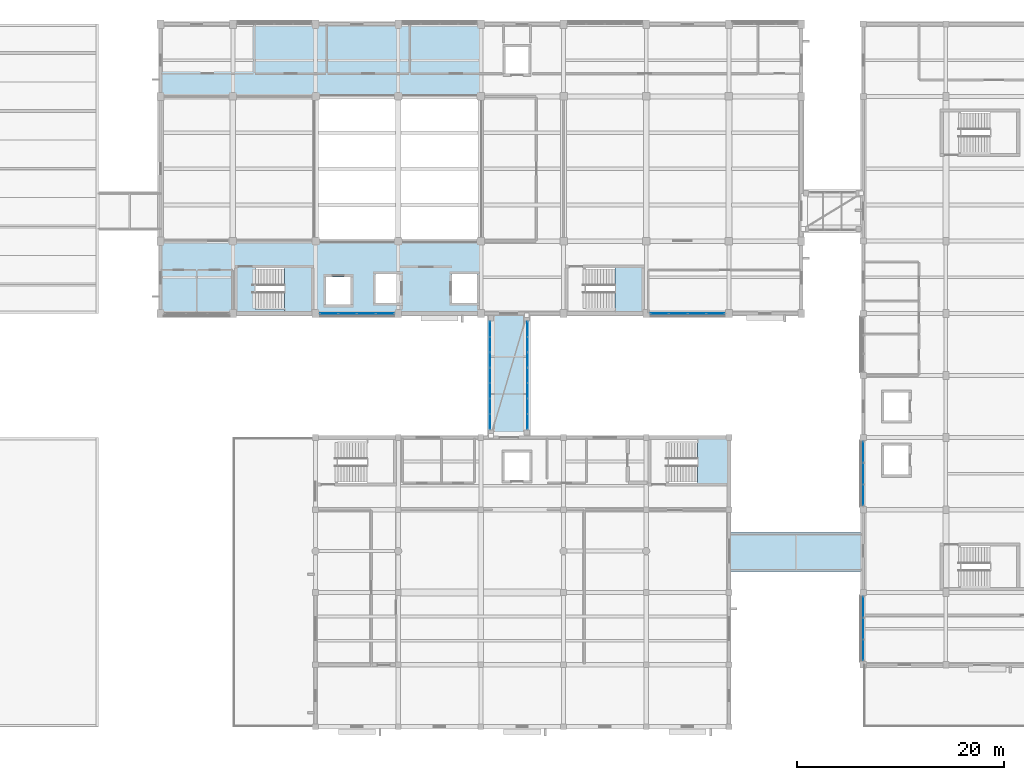
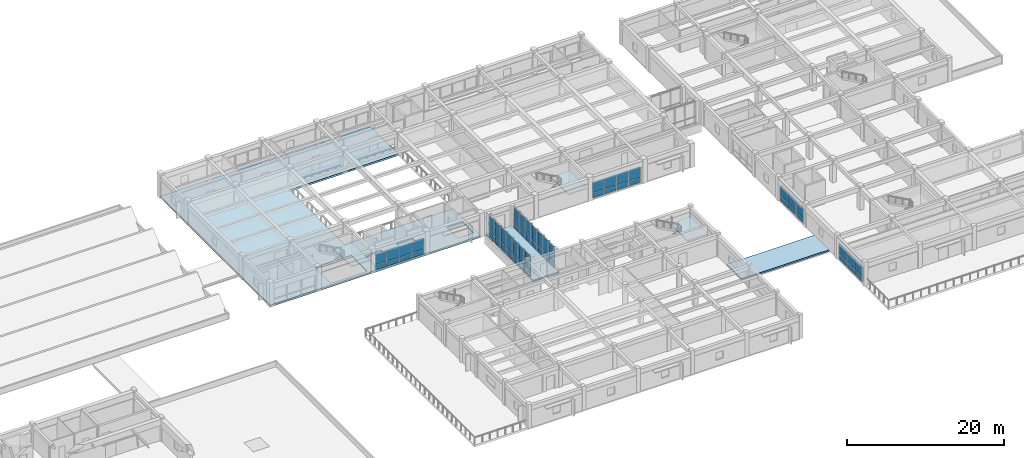
# One storey, part 19 of 42: 56 plates, 6 slabs, 9 elements without a shape of their own.
"""IFC4 building model written with IfcOpenShell, lengths in metres."""

from ifc_helpers import new_model, si_unit, direction, frame, origin, origin_2d, place, context, subcontext, project, spatial, polyline, rectangle, outline, extrude, material, layer, layer_set, type_object, element, aggregate, save


model = new_model("IFC4")

# Units and contexts
model_context = context("Model", 3, precision=1e-05, world=origin(), true_north=direction((0.0, 1.0)))
body_context = subcontext(model_context, "Body", "Model", "MODEL_VIEW")
ifc_project = project(units=[si_unit("LENGTHUNIT", "METRE"), si_unit("AREAUNIT", "SQUARE_METRE"), si_unit("VOLUMEUNIT", "CUBIC_METRE"), si_unit("PLANEANGLEUNIT", "RADIAN"), si_unit("MASSUNIT", "GRAM", prefix="KILO")], contexts=[model_context])

# Site, building, storey
site_placement = place(None, origin())
site = spatial("IfcSite", under=ifc_project, at=site_placement, CompositionType="ELEMENT")
building_placement = place(site_placement, origin())
building = spatial("IfcBuilding", under=site, at=building_placement, Name="Naurynzar Civic Courthouse", CompositionType="ELEMENT")
storey_placement = place(building_placement, frame((0.0, 0.0, 18.300048828125)))
storey = spatial("IfcBuildingStorey", under=building, at=storey_placement, Name="L05", CompositionType="ELEMENT", Elevation=18.300048828125)

# Curtain wall, plates
ifc_material_1 = material(Name="Aluminium 6063-T6", Category="aluminium")
ifc_layer_1 = layer(ifc_material_1, 0.14990234375)
ifc_layer_set_1 = layer_set([ifc_layer_1], Name="CW-BRIDGE-1500")
curtain_wall_type_1 = type_object("IfcCurtainWallType", Name="CW-BRIDGE-1500", PredefinedType="USERDEFINED", material=ifc_layer_set_1)
curtain_wall_1_placement = place(storey_placement, origin())
curtain_wall_1 = element("IfcCurtainWall", 1, at=curtain_wall_1_placement, inside=storey, type_object=curtain_wall_type_1, Name="BR-C1 glazed bridge screen L05.1", ObjectType="GLAZED BRIDGE SCREEN", PredefinedType="USERDEFINED")
ifc_material_2 = material(Name="Tempered Laminated Low-E Glass", Category="glass")
ifc_layer_2 = layer(ifc_material_2, 0.031982421875)
ifc_layer_set_2 = layer_set([ifc_layer_2], Name="CWP-IGU-32")
plate_type_1 = type_object("IfcPlateType", Name="CWP-IGU-32", PredefinedType="CURTAIN_PANEL", material=ifc_layer_set_2)
plate_1_placement = place(storey_placement, frame((93.8798828125, 42.476318359375, 0.06005859375), z_axis=(0.0, 0.0, 1.0), x_axis=(0.0, -1.0, 0.0)))
plate_1 = element("IfcPlate", 2, at=plate_1_placement, type_object=plate_type_1, Name="CW-03 panel 1.1", PredefinedType="CURTAIN_PANEL", context=body_context, shape_type="SweptSolid", body=[
    extrude(rectangle(XDim=1.4072265625, YDim=0.031982421875, at=origin_2d()), origin(), (0.0, 0.0, 1.0), 0.909912109375),
])
plate_2_placement = place(storey_placement, frame((93.8798828125, 42.476318359375, 1.02978515625), z_axis=(0.0, 0.0, 1.0), x_axis=(0.0, -1.0, 0.0)))
plate_2 = element("IfcPlate", 3, at=plate_2_placement, type_object=plate_type_1, Name="CW-03 panel 1.2", PredefinedType="CURTAIN_PANEL", context=body_context, shape_type="SweptSolid", body=[
    extrude(rectangle(XDim=1.4072265625, YDim=0.031982421875, at=origin_2d()), origin(), (0.0, 0.0, 1.0), 2.280029296875),
])
plate_3_placement = place(storey_placement, frame((93.8798828125, 40.994384765625, 0.06005859375), z_axis=(0.0, 0.0, 1.0), x_axis=(0.0, -1.0, 0.0)))
plate_3 = element("IfcPlate", 4, at=plate_3_placement, type_object=plate_type_1, Name="CW-03 panel 2.1", PredefinedType="CURTAIN_PANEL", context=body_context, shape_type="SweptSolid", body=[
    extrude(rectangle(XDim=1.437255859375, YDim=0.031982421875, at=origin_2d()), origin(), (0.0, 0.0, 1.0), 0.909912109375),
])
plate_4_placement = place(storey_placement, frame((93.8798828125, 40.994384765625, 1.02978515625), z_axis=(0.0, 0.0, 1.0), x_axis=(0.0, -1.0, 0.0)))
plate_4 = element("IfcPlate", 5, at=plate_4_placement, type_object=plate_type_1, Name="CW-03 panel 2.2", PredefinedType="CURTAIN_PANEL", context=body_context, shape_type="SweptSolid", body=[
    extrude(rectangle(XDim=1.437255859375, YDim=0.031982421875, at=origin_2d()), origin(), (0.0, 0.0, 1.0), 2.280029296875),
])
plate_5_placement = place(storey_placement, frame((93.8798828125, 39.4970703125, 0.06005859375), z_axis=(0.0, 0.0, 1.0), x_axis=(0.0, -1.0, 0.0)))
plate_5 = element("IfcPlate", 6, at=plate_5_placement, type_object=plate_type_1, Name="CW-03 panel 3.1", PredefinedType="CURTAIN_PANEL", context=body_context, shape_type="SweptSolid", body=[
    extrude(rectangle(XDim=1.437255859375, YDim=0.031982421875, at=origin_2d()), origin(), (0.0, 0.0, 1.0), 0.909912109375),
])
plate_6_placement = place(storey_placement, frame((93.8798828125, 39.4970703125, 1.02978515625), z_axis=(0.0, 0.0, 1.0), x_axis=(0.0, -1.0, 0.0)))
plate_6 = element("IfcPlate", 7, at=plate_6_placement, type_object=plate_type_1, Name="CW-03 panel 3.2", PredefinedType="CURTAIN_PANEL", context=body_context, shape_type="SweptSolid", body=[
    extrude(rectangle(XDim=1.437255859375, YDim=0.031982421875, at=origin_2d()), origin(), (0.0, 0.0, 1.0), 2.280029296875),
])
plate_7_placement = place(storey_placement, frame((93.8798828125, 38.0, 0.06005859375), z_axis=(0.0, 0.0, 1.0), x_axis=(0.0, -1.0, 0.0)))
plate_7 = element("IfcPlate", 8, at=plate_7_placement, type_object=plate_type_1, Name="CW-03 panel 4.1", PredefinedType="CURTAIN_PANEL", context=body_context, shape_type="SweptSolid", body=[
    extrude(rectangle(XDim=1.437255859375, YDim=0.031982421875, at=origin_2d()), origin(), (0.0, 0.0, 1.0), 0.909912109375),
])
plate_8_placement = place(storey_placement, frame((93.8798828125, 38.0, 1.02978515625), z_axis=(0.0, 0.0, 1.0), x_axis=(0.0, -1.0, 0.0)))
plate_8 = element("IfcPlate", 9, at=plate_8_placement, type_object=plate_type_1, Name="CW-03 panel 4.2", PredefinedType="CURTAIN_PANEL", context=body_context, shape_type="SweptSolid", body=[
    extrude(rectangle(XDim=1.437255859375, YDim=0.031982421875, at=origin_2d()), origin(), (0.0, 0.0, 1.0), 2.280029296875),
])
plate_9_placement = place(storey_placement, frame((93.8798828125, 36.5029296875, 0.06005859375), z_axis=(0.0, 0.0, 1.0), x_axis=(0.0, -1.0, 0.0)))
plate_9 = element("IfcPlate", 10, at=plate_9_placement, type_object=plate_type_1, Name="CW-03 panel 5.1", PredefinedType="CURTAIN_PANEL", context=body_context, shape_type="SweptSolid", body=[
    extrude(rectangle(XDim=1.437255859375, YDim=0.031982421875, at=origin_2d()), origin(), (0.0, 0.0, 1.0), 0.909912109375),
])
plate_10_placement = place(storey_placement, frame((93.8798828125, 36.5029296875, 1.02978515625), z_axis=(0.0, 0.0, 1.0), x_axis=(0.0, -1.0, 0.0)))
plate_10 = element("IfcPlate", 11, at=plate_10_placement, type_object=plate_type_1, Name="CW-03 panel 5.2", PredefinedType="CURTAIN_PANEL", context=body_context, shape_type="SweptSolid", body=[
    extrude(rectangle(XDim=1.437255859375, YDim=0.031982421875, at=origin_2d()), origin(), (0.0, 0.0, 1.0), 2.280029296875),
])
plate_11_placement = place(storey_placement, frame((93.8798828125, 35.005615234375, 0.06005859375), z_axis=(0.0, 0.0, 1.0), x_axis=(0.0, -1.0, 0.0)))
plate_11 = element("IfcPlate", 12, at=plate_11_placement, type_object=plate_type_1, Name="CW-03 panel 6.1", PredefinedType="CURTAIN_PANEL", context=body_context, shape_type="SweptSolid", body=[
    extrude(rectangle(XDim=1.437255859375, YDim=0.031982421875, at=origin_2d()), origin(), (0.0, 0.0, 1.0), 0.909912109375),
])
plate_12_placement = place(storey_placement, frame((93.8798828125, 35.005615234375, 1.02978515625), z_axis=(0.0, 0.0, 1.0), x_axis=(0.0, -1.0, 0.0)))
plate_12 = element("IfcPlate", 13, at=plate_12_placement, type_object=plate_type_1, Name="CW-03 panel 6.2", PredefinedType="CURTAIN_PANEL", context=body_context, shape_type="SweptSolid", body=[
    extrude(rectangle(XDim=1.437255859375, YDim=0.031982421875, at=origin_2d()), origin(), (0.0, 0.0, 1.0), 2.280029296875),
])
plate_13_placement = place(storey_placement, frame((93.8798828125, 33.523681640625, 0.06005859375), z_axis=(0.0, 0.0, 1.0), x_axis=(0.0, -1.0, 0.0)))
plate_13 = element("IfcPlate", 14, at=plate_13_placement, type_object=plate_type_1, Name="CW-03 panel 7.1", PredefinedType="CURTAIN_PANEL", context=body_context, shape_type="SweptSolid", body=[
    extrude(rectangle(XDim=1.4072265625, YDim=0.031982421875, at=origin_2d()), origin(), (0.0, 0.0, 1.0), 0.909912109375),
])
plate_14_placement = place(storey_placement, frame((93.8798828125, 33.523681640625, 1.02978515625), z_axis=(0.0, 0.0, 1.0), x_axis=(0.0, -1.0, 0.0)))
plate_14 = element("IfcPlate", 15, at=plate_14_placement, type_object=plate_type_1, Name="CW-03 panel 7.2", PredefinedType="CURTAIN_PANEL", context=body_context, shape_type="SweptSolid", body=[
    extrude(rectangle(XDim=1.4072265625, YDim=0.031982421875, at=origin_2d()), origin(), (0.0, 0.0, 1.0), 2.280029296875),
])
aggregate(curtain_wall_1, [plate_1, plate_2, plate_3, plate_4, plate_5, plate_6, plate_7, plate_8, plate_9, plate_10, plate_11, plate_12, plate_13, plate_14])

curtain_wall_2_placement = place(storey_placement, origin())
curtain_wall_2 = element("IfcCurtainWall", 16, at=curtain_wall_2_placement, inside=storey, type_object=curtain_wall_type_1, Name="BR-C1 glazed bridge screen L05.2", ObjectType="GLAZED BRIDGE SCREEN", PredefinedType="USERDEFINED")
plate_15_placement = place(storey_placement, frame((97.52001953125, 33.523681640625, 0.06005859375), z_axis=(0.0, 0.0, 1.0), x_axis=(0.0, 1.0, 0.0)))
plate_15 = element("IfcPlate", 17, at=plate_15_placement, type_object=plate_type_1, Name="CW-03 panel 1.1", PredefinedType="CURTAIN_PANEL", context=body_context, shape_type="SweptSolid", body=[
    extrude(rectangle(XDim=1.4072265625, YDim=0.031982421875, at=origin_2d()), origin(), (0.0, 0.0, 1.0), 0.909912109375),
])
plate_16_placement = place(storey_placement, frame((97.52001953125, 33.523681640625, 1.02978515625), z_axis=(0.0, 0.0, 1.0), x_axis=(0.0, 1.0, 0.0)))
plate_16 = element("IfcPlate", 18, at=plate_16_placement, type_object=plate_type_1, Name="CW-03 panel 1.2", PredefinedType="CURTAIN_PANEL", context=body_context, shape_type="SweptSolid", body=[
    extrude(rectangle(XDim=1.4072265625, YDim=0.031982421875, at=origin_2d()), origin(), (0.0, 0.0, 1.0), 2.280029296875),
])
plate_17_placement = place(storey_placement, frame((97.52001953125, 35.005615234375, 0.06005859375), z_axis=(0.0, 0.0, 1.0), x_axis=(0.0, 1.0, 0.0)))
plate_17 = element("IfcPlate", 19, at=plate_17_placement, type_object=plate_type_1, Name="CW-03 panel 2.1", PredefinedType="CURTAIN_PANEL", context=body_context, shape_type="SweptSolid", body=[
    extrude(rectangle(XDim=1.437255859375, YDim=0.031982421875, at=origin_2d()), origin(), (0.0, 0.0, 1.0), 0.909912109375),
])
plate_18_placement = place(storey_placement, frame((97.52001953125, 35.005615234375, 1.02978515625), z_axis=(0.0, 0.0, 1.0), x_axis=(0.0, 1.0, 0.0)))
plate_18 = element("IfcPlate", 20, at=plate_18_placement, type_object=plate_type_1, Name="CW-03 panel 2.2", PredefinedType="CURTAIN_PANEL", context=body_context, shape_type="SweptSolid", body=[
    extrude(rectangle(XDim=1.437255859375, YDim=0.031982421875, at=origin_2d()), origin(), (0.0, 0.0, 1.0), 2.280029296875),
])
plate_19_placement = place(storey_placement, frame((97.52001953125, 36.5029296875, 0.06005859375), z_axis=(0.0, 0.0, 1.0), x_axis=(0.0, 1.0, 0.0)))
plate_19 = element("IfcPlate", 21, at=plate_19_placement, type_object=plate_type_1, Name="CW-03 panel 3.1", PredefinedType="CURTAIN_PANEL", context=body_context, shape_type="SweptSolid", body=[
    extrude(rectangle(XDim=1.437255859375, YDim=0.031982421875, at=origin_2d()), origin(), (0.0, 0.0, 1.0), 0.909912109375),
])
plate_20_placement = place(storey_placement, frame((97.52001953125, 36.5029296875, 1.02978515625), z_axis=(0.0, 0.0, 1.0), x_axis=(0.0, 1.0, 0.0)))
plate_20 = element("IfcPlate", 22, at=plate_20_placement, type_object=plate_type_1, Name="CW-03 panel 3.2", PredefinedType="CURTAIN_PANEL", context=body_context, shape_type="SweptSolid", body=[
    extrude(rectangle(XDim=1.437255859375, YDim=0.031982421875, at=origin_2d()), origin(), (0.0, 0.0, 1.0), 2.280029296875),
])
plate_21_placement = place(storey_placement, frame((97.52001953125, 38.0, 0.06005859375), z_axis=(0.0, 0.0, 1.0), x_axis=(0.0, 1.0, 0.0)))
plate_21 = element("IfcPlate", 23, at=plate_21_placement, type_object=plate_type_1, Name="CW-03 panel 4.1", PredefinedType="CURTAIN_PANEL", context=body_context, shape_type="SweptSolid", body=[
    extrude(rectangle(XDim=1.437255859375, YDim=0.031982421875, at=origin_2d()), origin(), (0.0, 0.0, 1.0), 0.909912109375),
])
plate_22_placement = place(storey_placement, frame((97.52001953125, 38.0, 1.02978515625), z_axis=(0.0, 0.0, 1.0), x_axis=(0.0, 1.0, 0.0)))
plate_22 = element("IfcPlate", 24, at=plate_22_placement, type_object=plate_type_1, Name="CW-03 panel 4.2", PredefinedType="CURTAIN_PANEL", context=body_context, shape_type="SweptSolid", body=[
    extrude(rectangle(XDim=1.437255859375, YDim=0.031982421875, at=origin_2d()), origin(), (0.0, 0.0, 1.0), 2.280029296875),
])
plate_23_placement = place(storey_placement, frame((97.52001953125, 39.4970703125, 0.06005859375), z_axis=(0.0, 0.0, 1.0), x_axis=(0.0, 1.0, 0.0)))
plate_23 = element("IfcPlate", 25, at=plate_23_placement, type_object=plate_type_1, Name="CW-03 panel 5.1", PredefinedType="CURTAIN_PANEL", context=body_context, shape_type="SweptSolid", body=[
    extrude(rectangle(XDim=1.437255859375, YDim=0.031982421875, at=origin_2d()), origin(), (0.0, 0.0, 1.0), 0.909912109375),
])
plate_24_placement = place(storey_placement, frame((97.52001953125, 39.4970703125, 1.02978515625), z_axis=(0.0, 0.0, 1.0), x_axis=(0.0, 1.0, 0.0)))
plate_24 = element("IfcPlate", 26, at=plate_24_placement, type_object=plate_type_1, Name="CW-03 panel 5.2", PredefinedType="CURTAIN_PANEL", context=body_context, shape_type="SweptSolid", body=[
    extrude(rectangle(XDim=1.437255859375, YDim=0.031982421875, at=origin_2d()), origin(), (0.0, 0.0, 1.0), 2.280029296875),
])
plate_25_placement = place(storey_placement, frame((97.52001953125, 40.994384765625, 0.06005859375), z_axis=(0.0, 0.0, 1.0), x_axis=(0.0, 1.0, 0.0)))
plate_25 = element("IfcPlate", 27, at=plate_25_placement, type_object=plate_type_1, Name="CW-03 panel 6.1", PredefinedType="CURTAIN_PANEL", context=body_context, shape_type="SweptSolid", body=[
    extrude(rectangle(XDim=1.437255859375, YDim=0.031982421875, at=origin_2d()), origin(), (0.0, 0.0, 1.0), 0.909912109375),
])
plate_26_placement = place(storey_placement, frame((97.52001953125, 40.994384765625, 1.02978515625), z_axis=(0.0, 0.0, 1.0), x_axis=(0.0, 1.0, 0.0)))
plate_26 = element("IfcPlate", 28, at=plate_26_placement, type_object=plate_type_1, Name="CW-03 panel 6.2", PredefinedType="CURTAIN_PANEL", context=body_context, shape_type="SweptSolid", body=[
    extrude(rectangle(XDim=1.437255859375, YDim=0.031982421875, at=origin_2d()), origin(), (0.0, 0.0, 1.0), 2.280029296875),
])
plate_27_placement = place(storey_placement, frame((97.52001953125, 42.476318359375, 0.06005859375), z_axis=(0.0, 0.0, 1.0), x_axis=(0.0, 1.0, 0.0)))
plate_27 = element("IfcPlate", 29, at=plate_27_placement, type_object=plate_type_1, Name="CW-03 panel 7.1", PredefinedType="CURTAIN_PANEL", context=body_context, shape_type="SweptSolid", body=[
    extrude(rectangle(XDim=1.4072265625, YDim=0.031982421875, at=origin_2d()), origin(), (0.0, 0.0, 1.0), 0.909912109375),
])
plate_28_placement = place(storey_placement, frame((97.52001953125, 42.476318359375, 1.02978515625), z_axis=(0.0, 0.0, 1.0), x_axis=(0.0, 1.0, 0.0)))
plate_28 = element("IfcPlate", 30, at=plate_28_placement, type_object=plate_type_1, Name="CW-03 panel 7.2", PredefinedType="CURTAIN_PANEL", context=body_context, shape_type="SweptSolid", body=[
    extrude(rectangle(XDim=1.4072265625, YDim=0.031982421875, at=origin_2d()), origin(), (0.0, 0.0, 1.0), 2.280029296875),
])
aggregate(curtain_wall_2, [plate_15, plate_16, plate_17, plate_18, plate_19, plate_20, plate_21, plate_22, plate_23, plate_24, plate_25, plate_26, plate_27, plate_28])

ifc_material_3 = material(Name="Aluminium 6063-T6", Category="aluminium")
ifc_layer_3 = layer(ifc_material_3, 0.159912109375)
ifc_layer_set_3 = layer_set([ifc_layer_3], Name="CW-UNIT-1800")
curtain_wall_type_2 = type_object("IfcCurtainWallType", Name="CW-UNIT-1800", PredefinedType="NOTDEFINED", material=ifc_layer_set_3)
curtain_wall_3_placement = place(storey_placement, origin())
curtain_wall_3 = element("IfcCurtainWall", 31, at=curtain_wall_3_placement, inside=storey, type_object=curtain_wall_type_2, Name="V2 unitised curtain wall 40 L05", PredefinedType="NOTDEFINED")
ifc_material_4 = material(Name="Tempered Laminated Low-E Glass", Category="glass")
ifc_layer_4 = layer(ifc_material_4, 0.035888671875)
ifc_layer_set_4 = layer_set([ifc_layer_4], Name="CWP-IGU-36")
plate_type_2 = type_object("IfcPlateType", Name="CWP-IGU-36", PredefinedType="CURTAIN_PANEL", material=ifc_layer_set_4)
plate_29_placement = place(storey_placement, frame((115.701171875, 44.0, 0.06982421875), z_axis=(0.0, 0.0, 1.0), x_axis=(-1.0, 0.0, 0.0)))
plate_29 = element("IfcPlate", 32, at=plate_29_placement, type_object=plate_type_2, Name="CW-02 panel 1.1", PredefinedType="CURTAIN_PANEL", context=body_context, shape_type="SweptSolid", body=[
    extrude(rectangle(XDim=1.70751953125, YDim=0.035888671875, at=origin_2d()), origin(), (0.0, 0.0, 1.0), 0.7451171875),
])
plate_30_placement = place(storey_placement, frame((115.701171875, 44.0, 0.885009765625), z_axis=(0.0, 0.0, 1.0), x_axis=(-1.0, 0.0, 0.0)))
plate_30 = element("IfcPlate", 33, at=plate_30_placement, type_object=plate_type_2, Name="CW-02 panel 1.2", PredefinedType="CURTAIN_PANEL", context=body_context, shape_type="SweptSolid", body=[
    extrude(rectangle(XDim=1.70751953125, YDim=0.035888671875, at=origin_2d()), origin(), (0.0, 0.0, 1.0), 1.64501953125),
])
plate_31_placement = place(storey_placement, frame((113.90625, 44.0, 0.06982421875), z_axis=(0.0, 0.0, 1.0), x_axis=(-1.0, 0.0, 0.0)))
plate_31 = element("IfcPlate", 34, at=plate_31_placement, type_object=plate_type_2, Name="CW-02 panel 2.1", PredefinedType="CURTAIN_PANEL", context=body_context, shape_type="SweptSolid", body=[
    extrude(rectangle(XDim=1.742431640625, YDim=0.035888671875, at=origin_2d()), origin(), (0.0, 0.0, 1.0), 0.7451171875),
])
plate_32_placement = place(storey_placement, frame((113.90625, 44.0, 0.885009765625), z_axis=(0.0, 0.0, 1.0), x_axis=(-1.0, 0.0, 0.0)))
plate_32 = element("IfcPlate", 35, at=plate_32_placement, type_object=plate_type_2, Name="CW-02 panel 2.2", PredefinedType="CURTAIN_PANEL", context=body_context, shape_type="SweptSolid", body=[
    extrude(rectangle(XDim=1.742431640625, YDim=0.035888671875, at=origin_2d()), origin(), (0.0, 0.0, 1.0), 1.64501953125),
])
plate_33_placement = place(storey_placement, frame((112.09375, 44.0, 0.06982421875), z_axis=(0.0, 0.0, 1.0), x_axis=(-1.0, 0.0, 0.0)))
plate_33 = element("IfcPlate", 36, at=plate_33_placement, type_object=plate_type_2, Name="CW-02 panel 3.1", PredefinedType="CURTAIN_PANEL", context=body_context, shape_type="SweptSolid", body=[
    extrude(rectangle(XDim=1.742431640625, YDim=0.035888671875, at=origin_2d()), origin(), (0.0, 0.0, 1.0), 0.7451171875),
])
plate_34_placement = place(storey_placement, frame((112.09375, 44.0, 0.885009765625), z_axis=(0.0, 0.0, 1.0), x_axis=(-1.0, 0.0, 0.0)))
plate_34 = element("IfcPlate", 37, at=plate_34_placement, type_object=plate_type_2, Name="CW-02 panel 3.2", PredefinedType="CURTAIN_PANEL", context=body_context, shape_type="SweptSolid", body=[
    extrude(rectangle(XDim=1.742431640625, YDim=0.035888671875, at=origin_2d()), origin(), (0.0, 0.0, 1.0), 1.64501953125),
])
plate_35_placement = place(storey_placement, frame((110.298828125, 44.0, 0.06982421875), z_axis=(0.0, 0.0, 1.0), x_axis=(-1.0, 0.0, 0.0)))
plate_35 = element("IfcPlate", 38, at=plate_35_placement, type_object=plate_type_2, Name="CW-02 panel 4.1", PredefinedType="CURTAIN_PANEL", context=body_context, shape_type="SweptSolid", body=[
    extrude(rectangle(XDim=1.70751953125, YDim=0.035888671875, at=origin_2d()), origin(), (0.0, 0.0, 1.0), 0.7451171875),
])
plate_36_placement = place(storey_placement, frame((110.298828125, 44.0, 0.885009765625), z_axis=(0.0, 0.0, 1.0), x_axis=(-1.0, 0.0, 0.0)))
plate_36 = element("IfcPlate", 39, at=plate_36_placement, type_object=plate_type_2, Name="CW-02 panel 4.2", PredefinedType="CURTAIN_PANEL", context=body_context, shape_type="SweptSolid", body=[
    extrude(rectangle(XDim=1.70751953125, YDim=0.035888671875, at=origin_2d()), origin(), (0.0, 0.0, 1.0), 1.64501953125),
])
aggregate(curtain_wall_3, [plate_29, plate_30, plate_31, plate_32, plate_33, plate_34, plate_35, plate_36])

curtain_wall_4_placement = place(storey_placement, origin())
curtain_wall_4 = element("IfcCurtainWall", 40, at=curtain_wall_4_placement, inside=storey, type_object=curtain_wall_type_2, Name="V2 unitised curtain wall 41 L05", PredefinedType="NOTDEFINED")
plate_37_placement = place(storey_placement, frame((83.701171875, 44.0, 0.06982421875), z_axis=(0.0, 0.0, 1.0), x_axis=(-1.0, 0.0, 0.0)))
plate_37 = element("IfcPlate", 41, at=plate_37_placement, type_object=plate_type_2, Name="CW-02 panel 1.1", PredefinedType="CURTAIN_PANEL", context=body_context, shape_type="SweptSolid", body=[
    extrude(rectangle(XDim=1.70751953125, YDim=0.035888671875, at=origin_2d()), origin(), (0.0, 0.0, 1.0), 0.7451171875),
])
plate_38_placement = place(storey_placement, frame((83.701171875, 44.0, 0.885009765625), z_axis=(0.0, 0.0, 1.0), x_axis=(-1.0, 0.0, 0.0)))
plate_38 = element("IfcPlate", 42, at=plate_38_placement, type_object=plate_type_2, Name="CW-02 panel 1.2", PredefinedType="CURTAIN_PANEL", context=body_context, shape_type="SweptSolid", body=[
    extrude(rectangle(XDim=1.70751953125, YDim=0.035888671875, at=origin_2d()), origin(), (0.0, 0.0, 1.0), 1.64501953125),
])
plate_39_placement = place(storey_placement, frame((81.90625, 44.0, 0.06982421875), z_axis=(0.0, 0.0, 1.0), x_axis=(-1.0, 0.0, 0.0)))
plate_39 = element("IfcPlate", 43, at=plate_39_placement, type_object=plate_type_2, Name="CW-02 panel 2.1", PredefinedType="CURTAIN_PANEL", context=body_context, shape_type="SweptSolid", body=[
    extrude(rectangle(XDim=1.742431640625, YDim=0.035888671875, at=origin_2d()), origin(), (0.0, 0.0, 1.0), 0.7451171875),
])
plate_40_placement = place(storey_placement, frame((81.90625, 44.0, 0.885009765625), z_axis=(0.0, 0.0, 1.0), x_axis=(-1.0, 0.0, 0.0)))
plate_40 = element("IfcPlate", 44, at=plate_40_placement, type_object=plate_type_2, Name="CW-02 panel 2.2", PredefinedType="CURTAIN_PANEL", context=body_context, shape_type="SweptSolid", body=[
    extrude(rectangle(XDim=1.742431640625, YDim=0.035888671875, at=origin_2d()), origin(), (0.0, 0.0, 1.0), 1.64501953125),
])
plate_41_placement = place(storey_placement, frame((80.09375, 44.0, 0.06982421875), z_axis=(0.0, 0.0, 1.0), x_axis=(-1.0, 0.0, 0.0)))
plate_41 = element("IfcPlate", 45, at=plate_41_placement, type_object=plate_type_2, Name="CW-02 panel 3.1", PredefinedType="CURTAIN_PANEL", context=body_context, shape_type="SweptSolid", body=[
    extrude(rectangle(XDim=1.742431640625, YDim=0.035888671875, at=origin_2d()), origin(), (0.0, 0.0, 1.0), 0.7451171875),
])
plate_42_placement = place(storey_placement, frame((80.09375, 44.0, 0.885009765625), z_axis=(0.0, 0.0, 1.0), x_axis=(-1.0, 0.0, 0.0)))
plate_42 = element("IfcPlate", 46, at=plate_42_placement, type_object=plate_type_2, Name="CW-02 panel 3.2", PredefinedType="CURTAIN_PANEL", context=body_context, shape_type="SweptSolid", body=[
    extrude(rectangle(XDim=1.742431640625, YDim=0.035888671875, at=origin_2d()), origin(), (0.0, 0.0, 1.0), 1.64501953125),
])
plate_43_placement = place(storey_placement, frame((78.298828125, 44.0, 0.06982421875), z_axis=(0.0, 0.0, 1.0), x_axis=(-1.0, 0.0, 0.0)))
plate_43 = element("IfcPlate", 47, at=plate_43_placement, type_object=plate_type_2, Name="CW-02 panel 4.1", PredefinedType="CURTAIN_PANEL", context=body_context, shape_type="SweptSolid", body=[
    extrude(rectangle(XDim=1.70751953125, YDim=0.035888671875, at=origin_2d()), origin(), (0.0, 0.0, 1.0), 0.7451171875),
])
plate_44_placement = place(storey_placement, frame((78.298828125, 44.0, 0.885009765625), z_axis=(0.0, 0.0, 1.0), x_axis=(-1.0, 0.0, 0.0)))
plate_44 = element("IfcPlate", 48, at=plate_44_placement, type_object=plate_type_2, Name="CW-02 panel 4.2", PredefinedType="CURTAIN_PANEL", context=body_context, shape_type="SweptSolid", body=[
    extrude(rectangle(XDim=1.70751953125, YDim=0.035888671875, at=origin_2d()), origin(), (0.0, 0.0, 1.0), 1.64501953125),
])
aggregate(curtain_wall_4, [plate_37, plate_38, plate_39, plate_40, plate_41, plate_42, plate_43, plate_44])

curtain_wall_5_placement = place(storey_placement, origin())
curtain_wall_5 = element("IfcCurtainWall", 49, at=curtain_wall_5_placement, inside=storey, type_object=curtain_wall_type_2, Name="V5 unitised curtain wall 102 L05", PredefinedType="NOTDEFINED")
plate_45_placement = place(storey_placement, frame((130.0, 11.41748046875, 0.06982421875), z_axis=(0.0, 0.0, 1.0), x_axis=(0.0, 1.0, 0.0)))
plate_45 = element("IfcPlate", 50, at=plate_45_placement, type_object=plate_type_2, Name="CW-02 panel 1.1", PredefinedType="CURTAIN_PANEL", context=body_context, shape_type="SweptSolid", body=[
    extrude(rectangle(XDim=1.9951171875, YDim=0.035888671875, at=origin_2d()), origin(), (0.0, 0.0, 1.0), 0.7451171875),
])
plate_46_placement = place(storey_placement, frame((130.0, 11.41748046875, 0.884765625), z_axis=(0.0, 0.0, 1.0), x_axis=(0.0, 1.0, 0.0)))
plate_46 = element("IfcPlate", 51, at=plate_46_placement, type_object=plate_type_2, Name="CW-02 panel 1.2", PredefinedType="CURTAIN_PANEL", context=body_context, shape_type="SweptSolid", body=[
    extrude(rectangle(XDim=1.9951171875, YDim=0.035888671875, at=origin_2d()), origin(), (0.0, 0.0, 1.0), 1.594970703125),
])
plate_47_placement = place(storey_placement, frame((130.0, 13.5, 0.06982421875), z_axis=(0.0, 0.0, 1.0), x_axis=(0.0, 1.0, 0.0)))
plate_47 = element("IfcPlate", 52, at=plate_47_placement, type_object=plate_type_2, Name="CW-02 panel 2.1", PredefinedType="CURTAIN_PANEL", context=body_context, shape_type="SweptSolid", body=[
    extrude(rectangle(XDim=2.030029296875, YDim=0.035888671875, at=origin_2d()), origin(), (0.0, 0.0, 1.0), 0.7451171875),
])
plate_48_placement = place(storey_placement, frame((130.0, 13.5, 0.884765625), z_axis=(0.0, 0.0, 1.0), x_axis=(0.0, 1.0, 0.0)))
plate_48 = element("IfcPlate", 53, at=plate_48_placement, type_object=plate_type_2, Name="CW-02 panel 2.2", PredefinedType="CURTAIN_PANEL", context=body_context, shape_type="SweptSolid", body=[
    extrude(rectangle(XDim=2.030029296875, YDim=0.035888671875, at=origin_2d()), origin(), (0.0, 0.0, 1.0), 1.594970703125),
])
plate_49_placement = place(storey_placement, frame((130.0, 15.58251953125, 0.06982421875), z_axis=(0.0, 0.0, 1.0), x_axis=(0.0, 1.0, 0.0)))
plate_49 = element("IfcPlate", 54, at=plate_49_placement, type_object=plate_type_2, Name="CW-02 panel 3.1", PredefinedType="CURTAIN_PANEL", context=body_context, shape_type="SweptSolid", body=[
    extrude(rectangle(XDim=1.9951171875, YDim=0.035888671875, at=origin_2d()), origin(), (0.0, 0.0, 1.0), 0.7451171875),
])
plate_50_placement = place(storey_placement, frame((130.0, 15.58251953125, 0.884765625), z_axis=(0.0, 0.0, 1.0), x_axis=(0.0, 1.0, 0.0)))
plate_50 = element("IfcPlate", 55, at=plate_50_placement, type_object=plate_type_2, Name="CW-02 panel 3.2", PredefinedType="CURTAIN_PANEL", context=body_context, shape_type="SweptSolid", body=[
    extrude(rectangle(XDim=1.9951171875, YDim=0.035888671875, at=origin_2d()), origin(), (0.0, 0.0, 1.0), 1.594970703125),
])
aggregate(curtain_wall_5, [plate_45, plate_46, plate_47, plate_48, plate_49, plate_50])

curtain_wall_6_placement = place(storey_placement, origin())
curtain_wall_6 = element("IfcCurtainWall", 56, at=curtain_wall_6_placement, inside=storey, type_object=curtain_wall_type_2, Name="V5 unitised curtain wall 103 L05", PredefinedType="NOTDEFINED")
plate_51_placement = place(storey_placement, frame((130.0, 26.41748046875, 0.06982421875), z_axis=(0.0, 0.0, 1.0), x_axis=(0.0, 1.0, 0.0)))
plate_51 = element("IfcPlate", 57, at=plate_51_placement, type_object=plate_type_2, Name="CW-02 panel 1.1", PredefinedType="CURTAIN_PANEL", context=body_context, shape_type="SweptSolid", body=[
    extrude(rectangle(XDim=1.9951171875, YDim=0.035888671875, at=origin_2d()), origin(), (0.0, 0.0, 1.0), 0.7451171875),
])
plate_52_placement = place(storey_placement, frame((130.0, 26.41748046875, 0.884765625), z_axis=(0.0, 0.0, 1.0), x_axis=(0.0, 1.0, 0.0)))
plate_52 = element("IfcPlate", 58, at=plate_52_placement, type_object=plate_type_2, Name="CW-02 panel 1.2", PredefinedType="CURTAIN_PANEL", context=body_context, shape_type="SweptSolid", body=[
    extrude(rectangle(XDim=1.9951171875, YDim=0.035888671875, at=origin_2d()), origin(), (0.0, 0.0, 1.0), 1.594970703125),
])
plate_53_placement = place(storey_placement, frame((130.0, 28.5, 0.06982421875), z_axis=(0.0, 0.0, 1.0), x_axis=(0.0, 1.0, 0.0)))
plate_53 = element("IfcPlate", 59, at=plate_53_placement, type_object=plate_type_2, Name="CW-02 panel 2.1", PredefinedType="CURTAIN_PANEL", context=body_context, shape_type="SweptSolid", body=[
    extrude(rectangle(XDim=2.030029296875, YDim=0.035888671875, at=origin_2d()), origin(), (0.0, 0.0, 1.0), 0.7451171875),
])
plate_54_placement = place(storey_placement, frame((130.0, 28.5, 0.884765625), z_axis=(0.0, 0.0, 1.0), x_axis=(0.0, 1.0, 0.0)))
plate_54 = element("IfcPlate", 60, at=plate_54_placement, type_object=plate_type_2, Name="CW-02 panel 2.2", PredefinedType="CURTAIN_PANEL", context=body_context, shape_type="SweptSolid", body=[
    extrude(rectangle(XDim=2.030029296875, YDim=0.035888671875, at=origin_2d()), origin(), (0.0, 0.0, 1.0), 1.594970703125),
])
plate_55_placement = place(storey_placement, frame((130.0, 30.58251953125, 0.06982421875), z_axis=(0.0, 0.0, 1.0), x_axis=(0.0, 1.0, 0.0)))
plate_55 = element("IfcPlate", 61, at=plate_55_placement, type_object=plate_type_2, Name="CW-02 panel 3.1", PredefinedType="CURTAIN_PANEL", context=body_context, shape_type="SweptSolid", body=[
    extrude(rectangle(XDim=1.9951171875, YDim=0.035888671875, at=origin_2d()), origin(), (0.0, 0.0, 1.0), 0.7451171875),
])
plate_56_placement = place(storey_placement, frame((130.0, 30.58251953125, 0.884765625), z_axis=(0.0, 0.0, 1.0), x_axis=(0.0, 1.0, 0.0)))
plate_56 = element("IfcPlate", 62, at=plate_56_placement, type_object=plate_type_2, Name="CW-02 panel 3.2", PredefinedType="CURTAIN_PANEL", context=body_context, shape_type="SweptSolid", body=[
    extrude(rectangle(XDim=1.9951171875, YDim=0.035888671875, at=origin_2d()), origin(), (0.0, 0.0, 1.0), 1.594970703125),
])
aggregate(curtain_wall_6, [plate_51, plate_52, plate_53, plate_54, plate_55, plate_56])

# Slabs
ifc_material_5 = material(Name="Concrete C40/50", Category="concrete")
ifc_layer_5 = layer(ifc_material_5, 0.22998046875)
ifc_layer_set_5 = layer_set([ifc_layer_5], Name="ROOF-CRWN-230")
slab_type_1 = type_object("IfcSlabType", Name="ROOF-CRWN-230", PredefinedType="ROOF", material=ifc_layer_set_5)
slab_1_placement = place(storey_placement, frame((0.0, 0.0, -0.22998046875)))
element("IfcSlab", 63, at=slab_1_placement, inside=storey, type_object=slab_type_1, Name="Southeast Courts Seismic Link Passage roof slab", PredefinedType="ROOF", context=body_context, shape_type="SweptSolid", body=[
    extrude(outline(polyline([(117.02001953125, 19.02001953125), (129.97998046875, 19.02001953125), (129.97998046875, 22.780029296875), (117.02001953125, 22.780029296875), (117.02001953125, 19.02001953125)])), origin(), (0.0, 0.0, 1.0), 0.22998046875),
])
ifc_material_6 = material(Name="Concrete C35/45", Category="concrete")
ifc_layer_6 = layer(ifc_material_6, 0.239990234375)
ifc_layer_set_6 = layer_set([ifc_layer_6], Name="SLB-BRG-240")
slab_type_2 = type_object("IfcSlabType", Name="SLB-BRG-240", PredefinedType="FLOOR", material=ifc_layer_set_6)
slab_2_placement = place(storey_placement, frame((0.0, 0.0, -0.239990234375)))
element("IfcSlab", 64, at=slab_2_placement, inside=storey, type_object=slab_type_2, Name="Central Library Seismic Link Passage deck slab L05", PredefinedType="FLOOR", context=body_context, shape_type="SweptSolid", body=[
    extrude(outline(polyline([(93.820068359375, 32.02001953125), (97.580078125, 32.02001953125), (97.580078125, 43.97998046875), (93.820068359375, 43.97998046875), (93.820068359375, 32.02001953125)])), origin(), (0.0, 0.0, 1.0), 0.239990234375),
])

# Stair, slab
ifc_material_7 = material(Name="Concrete C35/45", Category="concrete")
stair_type = type_object("IfcStairType", Name="STAIR-CORE-1600", PredefinedType="TWO_STRAIGHT_RUN_STAIR", material=ifc_material_7)
stair_1_placement = place(storey_placement, origin())
stair_1 = element("IfcStair", 65, at=stair_1_placement, inside=storey, type_object=stair_type, Name="Enclosed escape stair ST-V2A L05", PredefinedType="TWO_STRAIGHT_RUN_STAIR")
ifc_material_8 = material(Name="Concrete C35/45", Category="concrete")
ifc_layer_7 = layer(ifc_material_8, 0.199951171875)
ifc_layer_set_7 = layer_set([ifc_layer_7], Name="SLB-LAND-200")
slab_type_3 = type_object("IfcSlabType", Name="SLB-LAND-200", PredefinedType="LANDING", material=ifc_layer_set_7)
slab_3_placement = place(storey_placement, frame((0.0, 0.0, 1.675048828125)))
slab_3 = element("IfcSlab", 66, at=slab_3_placement, type_object=slab_type_3, Name="ST-V2A-L05 landing 1", PredefinedType="LANDING", context=body_context, shape_type="SweptSolid", body=[
    extrude(outline(polyline([(73.97998046875, 44.080078125), (76.669921875, 44.080078125), (76.669921875, 48.52001953125), (73.97998046875, 48.52001953125), (73.97998046875, 44.080078125)])), origin(), (0.0, 0.0, 1.0), 0.199951171875),
])
aggregate(stair_1, [slab_3])

stair_2_placement = place(storey_placement, origin())
stair_2 = element("IfcStair", 67, at=stair_2_placement, inside=storey, type_object=stair_type, Name="Enclosed escape stair ST-V2B L05", PredefinedType="TWO_STRAIGHT_RUN_STAIR")
slab_4_placement = place(storey_placement, frame((0.0, 0.0, 1.675048828125)))
slab_4 = element("IfcSlab", 68, at=slab_4_placement, type_object=slab_type_3, Name="ST-V2B-L05 landing 1", PredefinedType="LANDING", context=body_context, shape_type="SweptSolid", body=[
    extrude(outline(polyline([(105.97998046875, 44.080078125), (108.669921875, 44.080078125), (108.669921875, 48.52001953125), (105.97998046875, 48.52001953125), (105.97998046875, 44.080078125)])), origin(), (0.0, 0.0, 1.0), 0.199951171875),
])
aggregate(stair_2, [slab_4])

stair_3_placement = place(storey_placement, origin())
stair_3 = element("IfcStair", 69, at=stair_3_placement, inside=storey, type_object=stair_type, Name="Enclosed escape stair ST-V3B L05", PredefinedType="TWO_STRAIGHT_RUN_STAIR")
slab_5_placement = place(storey_placement, frame((0.0, 0.0, 1.675048828125)))
slab_5 = element("IfcSlab", 70, at=slab_5_placement, type_object=slab_type_3, Name="ST-V3B-L05 landing 1", PredefinedType="LANDING", context=body_context, shape_type="SweptSolid", body=[
    extrude(outline(polyline([(113.97998046875, 27.47998046875), (116.919921875, 27.47998046875), (116.919921875, 31.919921875), (113.97998046875, 31.919921875), (113.97998046875, 27.47998046875)])), origin(), (0.0, 0.0, 1.0), 0.199951171875),
])
aggregate(stair_3, [slab_5])

# Slab
ifc_material_9 = material(Name="Concrete C35/45", Category="concrete")
ifc_layer_8 = layer(ifc_material_9, 0.280029296875)
ifc_layer_set_8 = layer_set([ifc_layer_8], Name="SLB-PT-280")
slab_type_4 = type_object("IfcSlabType", Name="SLB-PT-280", PredefinedType="FLOOR", material=ifc_layer_set_8)
slab_6_placement = place(storey_placement, frame((0.0, 0.0, -0.280029296875)))
element("IfcSlab", 71, at=slab_6_placement, inside=storey, type_object=slab_type_4, Name="V2 floor slab L05 W", PredefinedType="FLOOR", context=body_context, shape_type="SweptSolid", body=[
    extrude(outline(polyline([(93.0, 44.0), (62.0, 44.0), (62.0, 72.0), (93.0, 72.0), (93.0, 65.0), (77.0, 65.0), (77.0, 51.0), (93.0, 51.0), (93.0, 44.0)]), holes=[polyline([(71.179931640625, 44.39990234375), (76.550048828125, 44.39990234375), (76.550048828125, 48.39990234375), (71.179931640625, 48.39990234375), (71.179931640625, 44.39990234375)]), polyline([(78.0, 44.85009765625), (80.39990234375, 44.85009765625), (80.39990234375, 47.550048828125), (78.0, 47.550048828125), (78.0, 44.85009765625)]), polyline([(82.800048828125, 45.0), (85.199951171875, 45.0), (85.199951171875, 47.800048828125), (82.800048828125, 47.800048828125), (82.800048828125, 45.0)]), polyline([(90.199951171875, 45.0), (92.60009765625, 45.0), (92.60009765625, 47.800048828125), (90.199951171875, 47.800048828125), (90.199951171875, 45.0)])]), origin(), (0.0, 0.0, 1.0), 0.280029296875),
])

save(model, "model.ifc")
